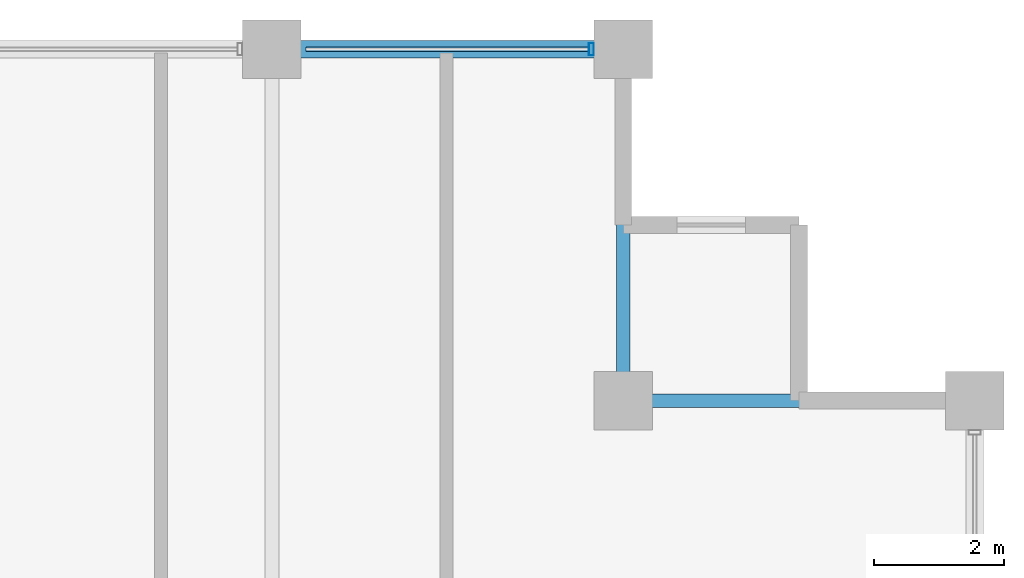
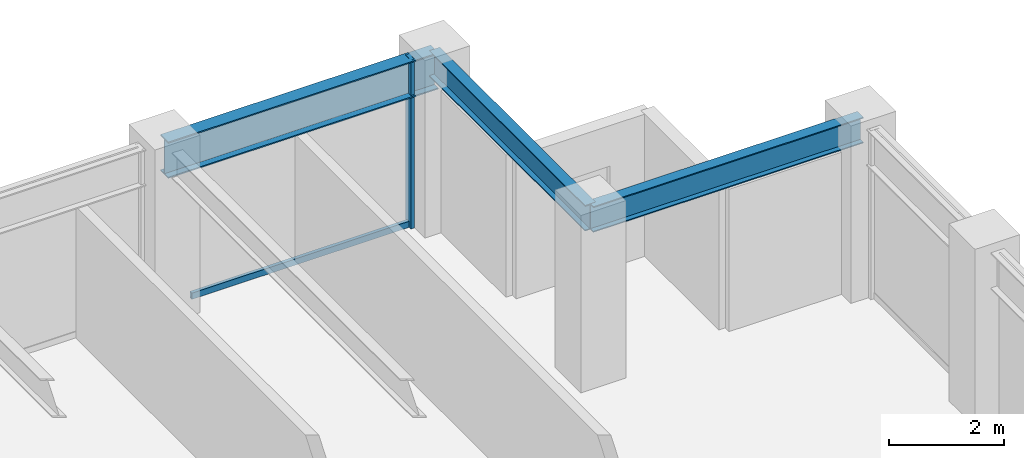
# One storey, part 24 of 32: 3 beams, 2 members, 1 element without a shape of its own.
"""IFC4 building model written with IfcOpenShell, lengths in metres."""

from ifc_helpers import new_model, si_unit, direction, frame, origin, origin_2d, place, context, subcontext, project, spatial, hollow_rectangle, i_section, extrude, material, layer, layer_set, material_profile, profile_set, type_object, element, aggregate, save


model = new_model("IFC4")

# Units and contexts
model_context = context("Model", 3, precision=1e-05, world=origin(), true_north=direction((0.0, 1.0)))
body_context = subcontext(model_context, "Body", "Model", "MODEL_VIEW")
ifc_project = project(units=[si_unit("LENGTHUNIT", "METRE"), si_unit("AREAUNIT", "SQUARE_METRE"), si_unit("VOLUMEUNIT", "CUBIC_METRE"), si_unit("PLANEANGLEUNIT", "RADIAN"), si_unit("MASSUNIT", "GRAM", prefix="KILO")], contexts=[model_context])

# Site, building, storey
site_placement = place(None, origin())
site = spatial("IfcSite", under=ifc_project, at=site_placement, CompositionType="ELEMENT")
building_placement = place(site_placement, origin())
building = spatial("IfcBuilding", under=site, at=building_placement, Name="Surkhivell Harbour Commons", CompositionType="ELEMENT")
storey_placement = place(building_placement, frame((0.0, 0.0, 204.75)))
storey = spatial("IfcBuildingStorey", under=building, at=storey_placement, Name="L53", CompositionType="ELEMENT", Elevation=204.75)

# Beams
ifc_material_1 = material(Name="Steel S355", Category="steel")
ifc_material_profile_1 = material_profile(ifc_material_1, i_section(OverallWidth=0.2119140625, OverallDepth=0.5439453125, WebThickness=0.0126953125, FlangeThickness=0.021240234375, at=origin_2d()), Name="UB533x210x122")
ifc_profile_set_1 = profile_set([ifc_material_profile_1], Name="Steel S355")
beam_type_1 = type_object("IfcBeamType", Name="BM-GRD-533A", PredefinedType="BEAM", material=ifc_profile_set_1)
beam_1_placement = place(storey_placement, frame((16.199951171875, 20.5, 3.298095703125), z_axis=(0.0, 1.0, 0.0), x_axis=(-1.0, 0.0, 0.0)))
element("IfcBeam", 1, at=beam_1_placement, inside=storey, type_object=beam_type_1, Name="L53 Floor Girder (16.2,20.5)", PredefinedType="BEAM", context=body_context, shape_type="SweptSolid", body=[
    extrude(i_section(OverallWidth=0.2119140625, OverallDepth=0.5439453125, WebThickness=0.0126953125, FlangeThickness=0.021240234375, at=origin_2d()), origin(), (0.0, 0.0, 1.0), 5.39990234375),
])
beam_2_placement = place(storey_placement, frame((16.199951171875, 20.5, 3.298095703125), z_axis=(1.0, 0.0, 0.0), x_axis=(0.0, 1.0, 0.0)))
element("IfcBeam", 2, at=beam_2_placement, inside=storey, type_object=beam_type_1, Name="L53 Floor Girder (16.2,20.5)", PredefinedType="BEAM", context=body_context, shape_type="SweptSolid", body=[
    extrude(i_section(OverallWidth=0.2119140625, OverallDepth=0.5439453125, WebThickness=0.0126953125, FlangeThickness=0.021240234375, at=origin_2d()), origin(), (0.0, 0.0, 1.0), 5.400146484375),
])
ifc_material_profile_2 = material_profile(ifc_material_1, i_section(OverallWidth=0.26806640625, OverallDepth=0.77001953125, WebThickness=0.015625, FlangeThickness=0.025390625, at=origin_2d()), Name="UB762x267x197")
ifc_profile_set_2 = profile_set([ifc_material_profile_2], Name="Steel S355")
beam_type_2 = type_object("IfcBeamType", Name="BM-SPN-762", PredefinedType="SPANDREL", material=ifc_profile_set_2)
beam_3_placement = place(storey_placement, frame((10.800048828125, 25.89990234375, 3.18505859375), z_axis=(1.0, 0.0, 0.0), x_axis=(0.0, 1.0, 0.0)))
element("IfcBeam", 3, at=beam_3_placement, inside=storey, type_object=beam_type_2, Name="L53 Tube Spandrel (10.8,25.9)", PredefinedType="SPANDREL", context=body_context, shape_type="SweptSolid", body=[
    extrude(i_section(OverallWidth=0.26806640625, OverallDepth=0.77001953125, WebThickness=0.015625, FlangeThickness=0.025390625, at=origin_2d()), origin(), (0.0, 0.0, 1.0), 5.39990234375),
])

# Curtain wall, members
ifc_material_2 = material(Name="Anodised pale-metal aluminium and insulated glazing", Category="aluminium")
ifc_layer = layer(ifc_material_2, 0.18994140625)
ifc_layer_set = layer_set([ifc_layer], Name="Anodised pale-metal aluminium and insulated glazing")
curtain_wall_type = type_object("IfcCurtainWallType", Name="CW-SYS-Z3", PredefinedType="NOTDEFINED", material=ifc_layer_set)
curtain_wall_placement = place(storey_placement, origin())
curtain_wall = element("IfcCurtainWall", 4, at=curtain_wall_placement, inside=storey, type_object=curtain_wall_type, Name="L53 Curtain Wall CW-L53-E07S1", PredefinedType="NOTDEFINED")
ifc_material_3 = material(Name="Anodised pale-metal aluminium alloy 6063-T6", Category="aluminium")
ifc_material_profile_3 = material_profile(ifc_material_3, hollow_rectangle(XDim=0.074951171875, YDim=0.18994140625, WallThickness=0.00390625, at=origin_2d()), Name="ALU-MULL-75x190")
ifc_profile_set_3 = profile_set([ifc_material_profile_3], Name="Anodised pale-metal aluminium alloy 6063-T6")
member_type_1 = type_object("IfcMemberType", Name="CWM-190", PredefinedType="MULLION", material=ifc_profile_set_3)
member_1_placement = place(storey_placement, frame((15.71044921875, 25.89990234375, 0.0), z_axis=(0.0, 0.0, 1.0), x_axis=(-1.0, 0.0, 0.0)))
member_1 = element("IfcMember", 5, at=member_1_placement, type_object=member_type_1, Name="CW-Z3 mullion 1", PredefinedType="MULLION", context=body_context, shape_type="SweptSolid", body=[
    extrude(hollow_rectangle(XDim=0.074951171875, YDim=0.18994140625, WallThickness=0.00390625, at=origin_2d()), origin(), (0.0, 0.0, 1.0), 3.570068359375),
])
ifc_material_4 = material(Name="Champagne anodised aluminium alloy 6063-T6", Category="aluminium")
ifc_material_profile_4 = material_profile(ifc_material_4, hollow_rectangle(XDim=0.070068359375, YDim=0.1298828125, WallThickness=0.00341796875, at=origin_2d()), Name="ALU-TRAN-70x130")
ifc_profile_set_4 = profile_set([ifc_material_profile_4], Name="Champagne anodised aluminium alloy 6063-T6")
member_type_2 = type_object("IfcMemberType", Name="CWT-130", PredefinedType="USERDEFINED", material=ifc_profile_set_4)
member_2_placement = place(storey_placement, frame((15.673095703125, 25.89990234375, 0.06494140625), z_axis=(-1.0, 0.0, 0.0), x_axis=(0.0, -1.0, 0.0)))
member_2 = element("IfcMember", 6, at=member_2_placement, type_object=member_type_2, Name="CW-Z3 transom 1.1", ObjectType="TRANSOM", PredefinedType="USERDEFINED", context=body_context, shape_type="SweptSolid", body=[
    extrude(hollow_rectangle(XDim=0.070068359375, YDim=0.1298828125, WallThickness=0.00341796875, at=origin_2d()), origin(), (0.0, 0.0, 1.0), 4.34619140625),
])
aggregate(curtain_wall, [member_1, member_2])

save(model, "model.ifc")
